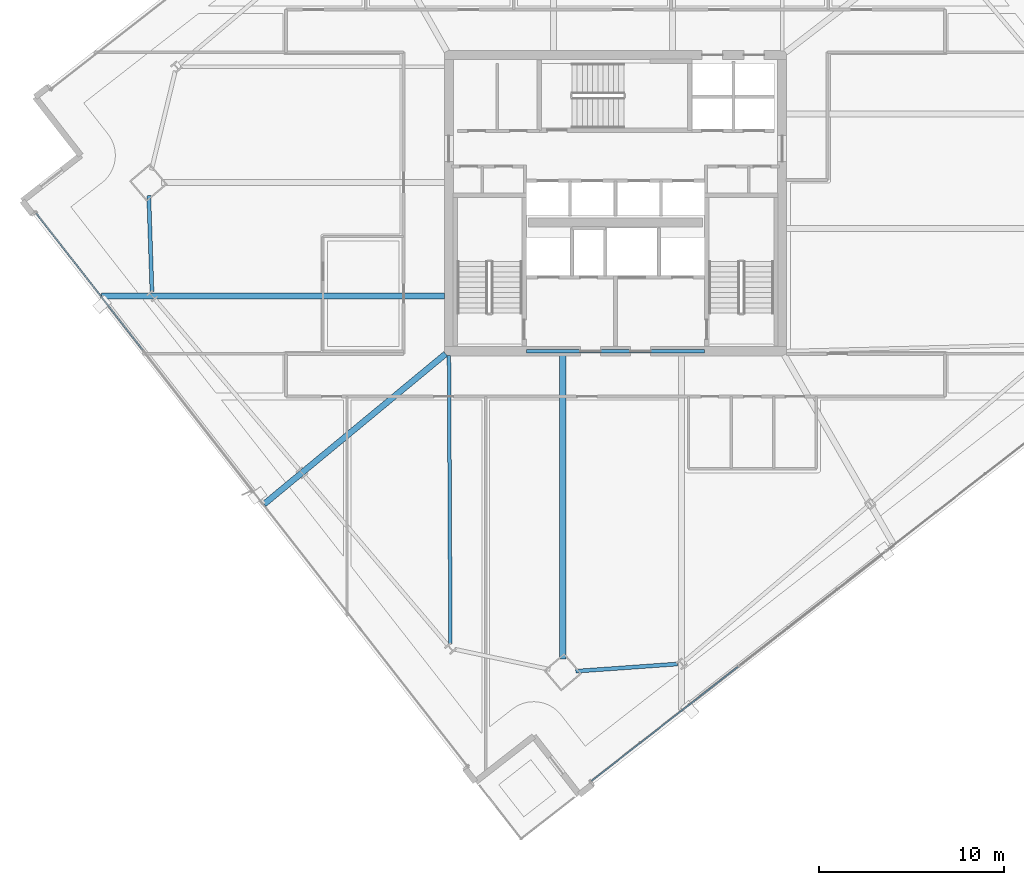
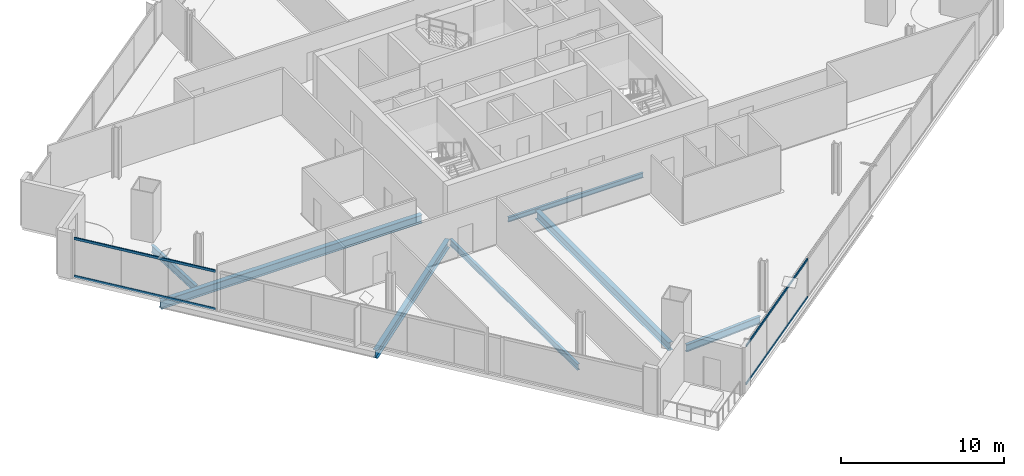
# One storey, part 5 of 32: 7 beams, 4 members, 2 elements without a shape of their own.
"""IFC4 building model written with IfcOpenShell, lengths in metres."""

from ifc_helpers import new_model, si_unit, direction, frame, origin, origin_2d, place, context, subcontext, project, spatial, hollow_rectangle, i_section, extrude, material, material_profile, profile_set, type_object, element, aggregate, save


model = new_model("IFC4")

# Units and contexts
model_context = context("Model", 3, precision=1e-05, world=origin(), true_north=direction((0.0, 1.0)))
body_context = subcontext(model_context, "Body", "Model", "MODEL_VIEW")
ifc_project = project(units=[si_unit("LENGTHUNIT", "METRE"), si_unit("AREAUNIT", "SQUARE_METRE"), si_unit("VOLUMEUNIT", "CUBIC_METRE"), si_unit("PLANEANGLEUNIT", "RADIAN"), si_unit("MASSUNIT", "GRAM", prefix="KILO")], contexts=[model_context])

# Site, building, storey
site_placement = place(None, origin())
site = spatial("IfcSite", under=ifc_project, at=site_placement, CompositionType="ELEMENT")
building_placement = place(site_placement, origin())
building = spatial("IfcBuilding", under=site, at=building_placement, Name="Haldenkirk Collegiate Tower", CompositionType="ELEMENT")
storey_placement = place(building_placement, frame((0.0, 0.0, 155.699951171875)))
storey = spatial("IfcBuildingStorey", under=building, at=storey_placement, Name="L38", CompositionType="ELEMENT", Elevation=155.699951171875)

# Beams
ifc_material_1 = material(Name="Steel ASTM A992 Grade 50", Category="steel")
ifc_material_profile_1 = material_profile(ifc_material_1, i_section(OverallWidth=0.324951171875, OverallDepth=0.615966796875, WebThickness=0.013916015625, FlangeThickness=0.021484375, at=origin_2d()), Name="W24X117")
ifc_profile_set_1 = profile_set([ifc_material_profile_1], Name="Steel ASTM A992 Grade 50")
beam_type_1 = type_object("IfcBeamType", Name="BM-GIRDER-W24X117", PredefinedType="BEAM", material=ifc_profile_set_1)
beam_1_placement = place(storey_placement, frame((33.149169921875, 1.36279296875, -0.597900390625), z_axis=(0.0, 1.0, 0.0), x_axis=(-1.0, 0.0, 0.0)))
element("IfcBeam", 1, at=beam_1_placement, inside=storey, type_object=beam_type_1, Name="L38 primary floor girder 01", PredefinedType="BEAM", context=body_context, shape_type="SweptSolid", body=[
    extrude(i_section(OverallWidth=0.324951171875, OverallDepth=0.615966796875, WebThickness=0.013916015625, FlangeThickness=0.021484375, at=origin_2d()), origin(), (0.0, 0.0, 1.0), 16.4072265625),
])
beam_2_placement = place(storey_placement, frame((8.23388671875, 20.9833984375, -0.597900390625), z_axis=(1.0, 0.0, 0.0), x_axis=(0.0, 1.0, 0.0)))
element("IfcBeam", 2, at=beam_2_placement, inside=storey, type_object=beam_type_1, Name="L38 primary floor girder 14", PredefinedType="BEAM", context=body_context, shape_type="SweptSolid", body=[
    extrude(i_section(OverallWidth=0.324951171875, OverallDepth=0.615966796875, WebThickness=0.013916015625, FlangeThickness=0.021484375, at=origin_2d()), origin(), (0.0, 0.0, 1.0), 18.5361328125),
])
beam_3_placement = place(storey_placement, frame((17.00830078125, 9.732421875, -0.597900390625), z_axis=(0.770441062126, 0.637511231109, 0.0), x_axis=(-0.637511231109, 0.770441062126, 0.0)))
element("IfcBeam", 3, at=beam_3_placement, inside=storey, type_object=beam_type_1, Name="L38 primary floor girder 15", PredefinedType="BEAM", context=body_context, shape_type="SweptSolid", body=[
    extrude(i_section(OverallWidth=0.324951171875, OverallDepth=0.615966796875, WebThickness=0.013916015625, FlangeThickness=0.021484375, at=origin_2d()), origin(), (0.0, 0.0, 1.0), 12.73876953125),
])
ifc_material_profile_2 = material_profile(ifc_material_1, i_section(OverallWidth=0.18994140625, OverallDepth=0.45703125, WebThickness=0.009033203125, FlangeThickness=0.014404296875, at=origin_2d()), Name="W18X50")
ifc_profile_set_2 = profile_set([ifc_material_profile_2], Name="Steel ASTM A992 Grade 50")
beam_type_2 = type_object("IfcBeamType", Name="BM-JOIST-W18X50", PredefinedType="JOIST", material=ifc_profile_set_2)
beam_4_placement = place(storey_placement, frame((27.081787109375, 2.17138671875, -0.5185546875), z_axis=(-0.005164896989, 0.999986661831, 0.0), x_axis=(-0.999986661831, -0.005164896989, 0.0)))
element("IfcBeam", 4, at=beam_4_placement, inside=storey, type_object=beam_type_2, Name="L38 composite floor joist 16", PredefinedType="JOIST", context=body_context, shape_type="SweptSolid", body=[
    extrude(i_section(OverallWidth=0.18994140625, OverallDepth=0.45703125, WebThickness=0.009033203125, FlangeThickness=0.014404296875, at=origin_2d()), origin(), (0.0, 0.0, 1.0), 15.598876953125),
])
ifc_material_profile_3 = material_profile(ifc_material_1, i_section(OverallWidth=0.1708984375, OverallDepth=0.35595703125, WebThickness=0.007080078125, FlangeThickness=0.01171875, at=origin_2d()), Name="W14X34")
ifc_profile_set_3 = profile_set([ifc_material_profile_3], Name="Steel ASTM A992 Grade 50")
beam_type_3 = type_object("IfcBeamType", Name="BM-LINTEL-W14X34", PredefinedType="LINTEL", material=ifc_profile_set_3)
beam_5_placement = place(storey_placement, frame((31.199951171875, 18.0, -0.468017578125), z_axis=(1.0, 0.0, 0.0), x_axis=(0.0, 1.0, 0.0)))
element("IfcBeam", 5, at=beam_5_placement, inside=storey, type_object=beam_type_3, Name="L38 south core coupling lintel", PredefinedType="LINTEL", context=body_context, shape_type="SweptSolid", body=[
    extrude(i_section(OverallWidth=0.1708984375, OverallDepth=0.35595703125, WebThickness=0.007080078125, FlangeThickness=0.01171875, at=origin_2d()), origin(), (0.0, 0.0, 1.0), 9.60009765625),
])
ifc_material_profile_4 = material_profile(ifc_material_1, i_section(OverallWidth=0.2119140625, OverallDepth=0.5439453125, WebThickness=0.01318359375, FlangeThickness=0.021240234375, at=origin_2d()), Name="W21X83")
ifc_profile_set_4 = profile_set([ifc_material_profile_4], Name="Steel ASTM A992 Grade 50")
beam_type_4 = type_object("IfcBeamType", Name="BM-SPANDREL-W21X83", PredefinedType="SPANDREL", material=ifc_profile_set_4)
beam_6_placement = place(storey_placement, frame((33.852294921875, 0.707763671875, -0.56201171875), z_axis=(0.997489017738, 0.070821320891, 0.0), x_axis=(-0.070821320891, 0.997489017738, 0.0)))
element("IfcBeam", 6, at=beam_6_placement, inside=storey, type_object=beam_type_4, Name="L38 perimeter spandrel beam 01", PredefinedType="SPANDREL", context=body_context, shape_type="SweptSolid", body=[
    extrude(i_section(OverallWidth=0.2119140625, OverallDepth=0.5439453125, WebThickness=0.01318359375, FlangeThickness=0.021240234375, at=origin_2d()), origin(), (0.0, 0.0, 1.0), 5.501953125),
])
beam_7_placement = place(storey_placement, frame((10.7841796875, 26.399169921875, -0.56201171875), z_axis=(0.033072037576, -0.999452970545, 0.0), x_axis=(0.999452970545, 0.033072037576, 0.0)))
element("IfcBeam", 7, at=beam_7_placement, inside=storey, type_object=beam_type_4, Name="L38 perimeter spandrel beam 13", PredefinedType="SPANDREL", context=body_context, shape_type="SweptSolid", body=[
    extrude(i_section(OverallWidth=0.2119140625, OverallDepth=0.5439453125, WebThickness=0.01318359375, FlangeThickness=0.021240234375, at=origin_2d()), origin(), (0.0, 0.0, 1.0), 5.189697265625),
])

# Curtain wall, members
ifc_material_2 = material(Name="Anodised architectural bronze aluminium", Category="aluminium")
curtain_wall_type_1 = type_object("IfcCurtainWallType", Name="CW-SYS2-CONCAVE", PredefinedType="USERDEFINED", material=ifc_material_2)
curtain_wall_1_placement = place(storey_placement, origin())
curtain_wall_1 = element("IfcCurtainWall", 8, at=curtain_wall_1_placement, inside=storey, type_object=curtain_wall_type_1, Name="L38 South concave recessed bronze-anodised curtain wall", ObjectType="UNITISED CURTAIN WALL", PredefinedType="USERDEFINED")
ifc_material_profile_5 = material_profile(ifc_material_2, hollow_rectangle(XDim=0.074951171875, YDim=0.159912109375, WallThickness=0.0048828125, at=origin_2d()), Name="CW-TRN-02")
ifc_profile_set_5 = profile_set([ifc_material_profile_5], Name="Anodised architectural bronze aluminium")
member_type_1 = type_object("IfcMemberType", Name="CW-TRN-02", PredefinedType="USERDEFINED", material=ifc_profile_set_5)
member_1_placement = place(storey_placement, frame((42.615478515625, 0.95166015625, 0.03759765625), z_axis=(-0.788544767697, -0.614977356769, 0.0), x_axis=(0.614977356769, -0.788544767697, 0.0)))
member_1 = element("IfcMember", 9, at=member_1_placement, type_object=member_type_1, Name="CW-02 transom 4.1", ObjectType="TRANSOM", PredefinedType="USERDEFINED", context=body_context, shape_type="SweptSolid", body=[
    extrude(hollow_rectangle(XDim=0.074951171875, YDim=0.159912109375, WallThickness=0.0048828125, at=origin_2d()), origin(), (0.0, 0.0, 1.0), 10.03759765625),
])
member_2_placement = place(storey_placement, frame((42.615478515625, 0.95166015625, 2.87353515625), z_axis=(-0.788544767697, -0.614977356769, 0.0), x_axis=(0.614977356769, -0.788544767697, 0.0)))
member_2 = element("IfcMember", 10, at=member_2_placement, type_object=member_type_1, Name="CW-02 transom 4.2", ObjectType="TRANSOM", PredefinedType="USERDEFINED", context=body_context, shape_type="SweptSolid", body=[
    extrude(hollow_rectangle(XDim=0.074951171875, YDim=0.159912109375, WallThickness=0.0048828125, at=origin_2d()), origin(), (0.0, 0.0, 1.0), 10.03759765625),
])
aggregate(curtain_wall_1, [member_1, member_2])

curtain_wall_type_2 = type_object("IfcCurtainWallType", Name="CW-SYS1-CONVEX-LOW", PredefinedType="USERDEFINED", material=ifc_material_2)
curtain_wall_2_placement = place(storey_placement, origin())
curtain_wall_2 = element("IfcCurtainWall", 11, at=curtain_wall_2_placement, inside=storey, type_object=curtain_wall_type_2, Name="L38 Lower tower convex bronze-framed unitised curtain wall", ObjectType="UNITISED CURTAIN WALL", PredefinedType="USERDEFINED")
ifc_material_profile_6 = material_profile(ifc_material_2, hollow_rectangle(XDim=0.080078125, YDim=0.179931640625, WallThickness=0.0048828125, at=origin_2d()), Name="CW-TRN-1A")
ifc_profile_set_6 = profile_set([ifc_material_profile_6], Name="Anodised architectural bronze aluminium")
member_type_2 = type_object("IfcMemberType", Name="CW-TRN-1A", PredefinedType="USERDEFINED", material=ifc_profile_set_6)
member_3_placement = place(storey_placement, frame((10.465087890625, 18.05712890625, 0.0400390625), z_axis=(-0.614956386116, 0.788561122028, 0.0), x_axis=(-0.788561122028, -0.614956386116, 0.0)))
member_3 = element("IfcMember", 12, at=member_3_placement, type_object=member_type_2, Name="CW-1A transom 4.1", ObjectType="TRANSOM", PredefinedType="USERDEFINED", context=body_context, shape_type="SweptSolid", body=[
    extrude(hollow_rectangle(XDim=0.080078125, YDim=0.179931640625, WallThickness=0.0048828125, at=origin_2d()), origin(), (0.0, 0.0, 1.0), 9.380126953125),
])
member_4_placement = place(storey_placement, frame((10.465087890625, 18.05712890625, 2.87109375), z_axis=(-0.614956386116, 0.788561122028, 0.0), x_axis=(-0.788561122028, -0.614956386116, 0.0)))
member_4 = element("IfcMember", 13, at=member_4_placement, type_object=member_type_2, Name="CW-1A transom 4.2", ObjectType="TRANSOM", PredefinedType="USERDEFINED", context=body_context, shape_type="SweptSolid", body=[
    extrude(hollow_rectangle(XDim=0.080078125, YDim=0.179931640625, WallThickness=0.0048828125, at=origin_2d()), origin(), (0.0, 0.0, 1.0), 9.380126953125),
])
aggregate(curtain_wall_2, [member_3, member_4])

save(model, "model.ifc")
